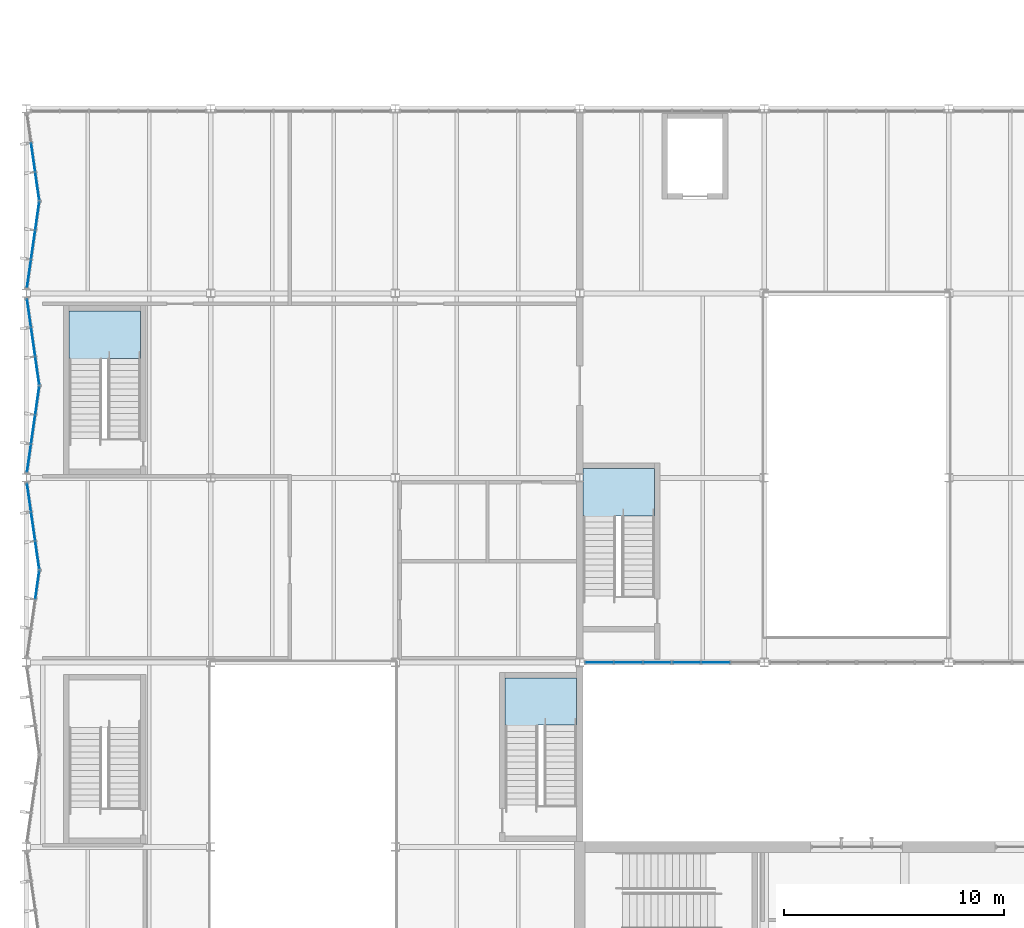
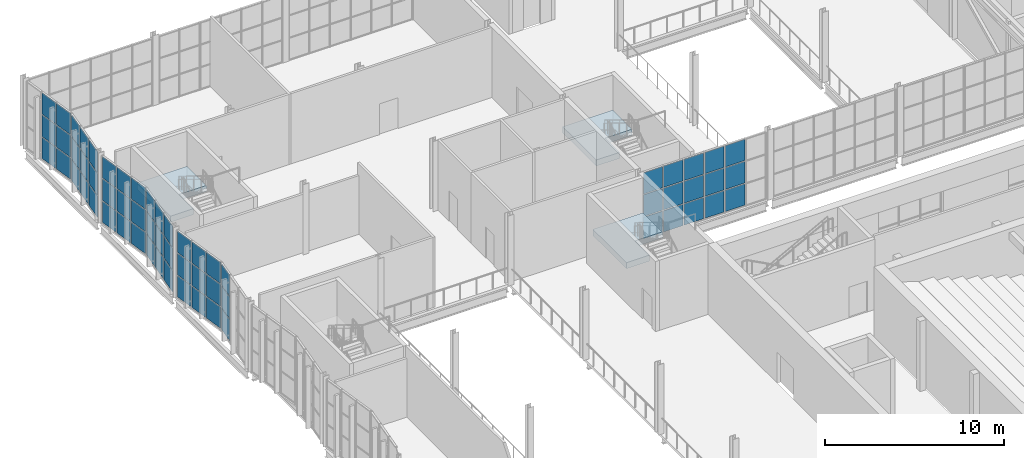
# One storey, part 60 of 127: 60 plates, 3 slabs, 11 elements without a shape of their own.
"""IFC4 building model written with IfcOpenShell, lengths in metres."""

from ifc_helpers import new_model, si_unit, direction, frame, origin, origin_2d, place, context, subcontext, project, spatial, polyline, rectangle, outline, extrude, material, layer, layer_set, type_object, element, aggregate, save


model = new_model("IFC4")

# Units and contexts
model_context = context("Model", 3, precision=1e-05, world=origin(), true_north=direction((0.0, 1.0)))
body_context = subcontext(model_context, "Body", "Model", "MODEL_VIEW")
ifc_project = project(units=[si_unit("LENGTHUNIT", "METRE"), si_unit("AREAUNIT", "SQUARE_METRE"), si_unit("VOLUMEUNIT", "CUBIC_METRE"), si_unit("PLANEANGLEUNIT", "RADIAN"), si_unit("MASSUNIT", "GRAM", prefix="KILO")], contexts=[model_context])

# Site, building, storey
site_placement = place(None, origin())
site = spatial("IfcSite", under=ifc_project, at=site_placement, CompositionType="ELEMENT")
building_placement = place(site_placement, origin())
building = spatial("IfcBuilding", under=site, at=building_placement, Name="Ljudholm Concert House", CompositionType="ELEMENT")
storey_placement = place(building_placement, frame((0.0, 0.0, 5.39990234375)))
storey = spatial("IfcBuildingStorey", under=building, at=storey_placement, Name="L01", CompositionType="ELEMENT", Elevation=5.39990234375)

# Curtain wall, plates
ifc_material_1 = material(Name="Aluminium curtain wall with impact-rated laminated glass", Category="aluminium")
curtain_wall_type = type_object("IfcCurtainWallType", Name="CURTAIN WALL 1400", PredefinedType="NOTDEFINED", material=ifc_material_1)
curtain_wall_1_placement = place(storey_placement, origin())
curtain_wall_1 = element("IfcCurtainWall", 1, at=curtain_wall_1_placement, inside=storey, type_object=curtain_wall_type, Name="Facade curtain wall", PredefinedType="NOTDEFINED")
ifc_material_2 = material(Name="Impact-rated laminated glass", Category="glass")
ifc_layer_1 = layer(ifc_material_2, 0.028076171875)
ifc_layer_set_1 = layer_set([ifc_layer_1], Name="Impact-rated laminated glass")
plate_type = type_object("IfcPlateType", Name="CURTAIN PANEL 28", PredefinedType="CURTAIN_PANEL", material=ifc_layer_set_1)
plate_1_placement = place(storey_placement, frame((4.503173828125, 108.321533203125, 0.06005859375), z_axis=(0.0, 0.0, 1.0), x_axis=(0.141421356338, 0.989949493647, 0.0)))
plate_1 = element("IfcPlate", 2, at=plate_1_placement, type_object=plate_type, Name="Curtain wall panel", PredefinedType="CURTAIN_PANEL", context=body_context, shape_type="SweptSolid", body=[
    extrude(rectangle(XDim=1.2509765625, YDim=0.028076171875, at=origin_2d()), origin(), (0.0, 0.0, 1.0), 1.449951171875),
])
plate_2_placement = place(storey_placement, frame((4.503173828125, 108.321533203125, 1.570068359375), z_axis=(0.0, 0.0, 1.0), x_axis=(0.141421356338, 0.989949493647, 0.0)))
plate_2 = element("IfcPlate", 3, at=plate_2_placement, type_object=plate_type, Name="Curtain wall panel", PredefinedType="CURTAIN_PANEL", context=body_context, shape_type="SweptSolid", body=[
    extrude(rectangle(XDim=1.2509765625, YDim=0.028076171875, at=origin_2d()), origin(), (0.0, 0.0, 1.0), 1.47998046875),
])
plate_3_placement = place(storey_placement, frame((4.503173828125, 108.321533203125, 3.1103515625), z_axis=(0.0, 0.0, 1.0), x_axis=(0.141421356338, 0.989949493647, 0.0)))
plate_3 = element("IfcPlate", 4, at=plate_3_placement, type_object=plate_type, Name="Curtain wall panel", PredefinedType="CURTAIN_PANEL", context=body_context, shape_type="SweptSolid", body=[
    extrude(rectangle(XDim=1.2509765625, YDim=0.028076171875, at=origin_2d()), origin(), (0.0, 0.0, 1.0), 1.449951171875),
])
aggregate(curtain_wall_1, [plate_1, plate_2, plate_3])

curtain_wall_2_placement = place(storey_placement, origin())
curtain_wall_2 = element("IfcCurtainWall", 5, at=curtain_wall_2_placement, inside=storey, type_object=curtain_wall_type, Name="Facade curtain wall", PredefinedType="NOTDEFINED")
plate_4_placement = place(storey_placement, frame((4.503173828125, 109.678466796875, 0.06005859375), z_axis=(0.0, 0.0, 1.0), x_axis=(-0.141421356338, 0.989949493647, 0.0)))
plate_4 = element("IfcPlate", 6, at=plate_4_placement, type_object=plate_type, Name="Curtain wall panel", PredefinedType="CURTAIN_PANEL", context=body_context, shape_type="SweptSolid", body=[
    extrude(rectangle(XDim=1.2509765625, YDim=0.028076171875, at=origin_2d()), origin(), (0.0, 0.0, 1.0), 1.449951171875),
])
plate_5_placement = place(storey_placement, frame((4.503173828125, 109.678466796875, 1.570068359375), z_axis=(0.0, 0.0, 1.0), x_axis=(-0.141421356338, 0.989949493647, 0.0)))
plate_5 = element("IfcPlate", 7, at=plate_5_placement, type_object=plate_type, Name="Curtain wall panel", PredefinedType="CURTAIN_PANEL", context=body_context, shape_type="SweptSolid", body=[
    extrude(rectangle(XDim=1.2509765625, YDim=0.028076171875, at=origin_2d()), origin(), (0.0, 0.0, 1.0), 1.47998046875),
])
plate_6_placement = place(storey_placement, frame((4.503173828125, 109.678466796875, 3.1103515625), z_axis=(0.0, 0.0, 1.0), x_axis=(-0.141421356338, 0.989949493647, 0.0)))
plate_6 = element("IfcPlate", 8, at=plate_6_placement, type_object=plate_type, Name="Curtain wall panel", PredefinedType="CURTAIN_PANEL", context=body_context, shape_type="SweptSolid", body=[
    extrude(rectangle(XDim=1.2509765625, YDim=0.028076171875, at=origin_2d()), origin(), (0.0, 0.0, 1.0), 1.449951171875),
])
plate_7_placement = place(storey_placement, frame((4.315673828125, 110.9912109375, 0.06005859375), z_axis=(0.0, 0.0, 1.0), x_axis=(-0.141421356338, 0.989949493647, 0.0)))
plate_7 = element("IfcPlate", 9, at=plate_7_placement, type_object=plate_type, Name="Curtain wall panel", PredefinedType="CURTAIN_PANEL", context=body_context, shape_type="SweptSolid", body=[
    extrude(rectangle(XDim=1.28076171875, YDim=0.028076171875, at=origin_2d()), origin(), (0.0, 0.0, 1.0), 1.449951171875),
])
plate_8_placement = place(storey_placement, frame((4.315673828125, 110.9912109375, 1.570068359375), z_axis=(0.0, 0.0, 1.0), x_axis=(-0.141421356338, 0.989949493647, 0.0)))
plate_8 = element("IfcPlate", 10, at=plate_8_placement, type_object=plate_type, Name="Curtain wall panel", PredefinedType="CURTAIN_PANEL", context=body_context, shape_type="SweptSolid", body=[
    extrude(rectangle(XDim=1.28076171875, YDim=0.028076171875, at=origin_2d()), origin(), (0.0, 0.0, 1.0), 1.47998046875),
])
plate_9_placement = place(storey_placement, frame((4.315673828125, 110.9912109375, 3.1103515625), z_axis=(0.0, 0.0, 1.0), x_axis=(-0.141421356338, 0.989949493647, 0.0)))
plate_9 = element("IfcPlate", 11, at=plate_9_placement, type_object=plate_type, Name="Curtain wall panel", PredefinedType="CURTAIN_PANEL", context=body_context, shape_type="SweptSolid", body=[
    extrude(rectangle(XDim=1.28076171875, YDim=0.028076171875, at=origin_2d()), origin(), (0.0, 0.0, 1.0), 1.449951171875),
])
plate_10_placement = place(storey_placement, frame((4.1279296875, 112.3037109375, 0.06005859375), z_axis=(0.0, 0.0, 1.0), x_axis=(-0.141421356338, 0.989949493647, 0.0)))
plate_10 = element("IfcPlate", 12, at=plate_10_placement, type_object=plate_type, Name="Curtain wall panel", PredefinedType="CURTAIN_PANEL", context=body_context, shape_type="SweptSolid", body=[
    extrude(rectangle(XDim=1.2509765625, YDim=0.028076171875, at=origin_2d()), origin(), (0.0, 0.0, 1.0), 1.449951171875),
])
plate_11_placement = place(storey_placement, frame((4.1279296875, 112.3037109375, 1.570068359375), z_axis=(0.0, 0.0, 1.0), x_axis=(-0.141421356338, 0.989949493647, 0.0)))
plate_11 = element("IfcPlate", 13, at=plate_11_placement, type_object=plate_type, Name="Curtain wall panel", PredefinedType="CURTAIN_PANEL", context=body_context, shape_type="SweptSolid", body=[
    extrude(rectangle(XDim=1.2509765625, YDim=0.028076171875, at=origin_2d()), origin(), (0.0, 0.0, 1.0), 1.47998046875),
])
plate_12_placement = place(storey_placement, frame((4.1279296875, 112.3037109375, 3.1103515625), z_axis=(0.0, 0.0, 1.0), x_axis=(-0.141421356338, 0.989949493647, 0.0)))
plate_12 = element("IfcPlate", 14, at=plate_12_placement, type_object=plate_type, Name="Curtain wall panel", PredefinedType="CURTAIN_PANEL", context=body_context, shape_type="SweptSolid", body=[
    extrude(rectangle(XDim=1.2509765625, YDim=0.028076171875, at=origin_2d()), origin(), (0.0, 0.0, 1.0), 1.449951171875),
])
aggregate(curtain_wall_2, [plate_4, plate_5, plate_6, plate_7, plate_8, plate_9, plate_10, plate_11, plate_12])

curtain_wall_3_placement = place(storey_placement, origin())
curtain_wall_3 = element("IfcCurtainWall", 15, at=curtain_wall_3_placement, inside=storey, type_object=curtain_wall_type, Name="Facade curtain wall", PredefinedType="NOTDEFINED")
plate_13_placement = place(storey_placement, frame((4.1279296875, 114.096435546875, 0.06005859375), z_axis=(0.0, 0.0, 1.0), x_axis=(0.141421356338, 0.989949493647, 0.0)))
plate_13 = element("IfcPlate", 16, at=plate_13_placement, type_object=plate_type, Name="Curtain wall panel", PredefinedType="CURTAIN_PANEL", context=body_context, shape_type="SweptSolid", body=[
    extrude(rectangle(XDim=1.2509765625, YDim=0.028076171875, at=origin_2d()), origin(), (0.0, 0.0, 1.0), 1.449951171875),
])
plate_14_placement = place(storey_placement, frame((4.1279296875, 114.096435546875, 1.570068359375), z_axis=(0.0, 0.0, 1.0), x_axis=(0.141421356338, 0.989949493647, 0.0)))
plate_14 = element("IfcPlate", 17, at=plate_14_placement, type_object=plate_type, Name="Curtain wall panel", PredefinedType="CURTAIN_PANEL", context=body_context, shape_type="SweptSolid", body=[
    extrude(rectangle(XDim=1.2509765625, YDim=0.028076171875, at=origin_2d()), origin(), (0.0, 0.0, 1.0), 1.47998046875),
])
plate_15_placement = place(storey_placement, frame((4.1279296875, 114.096435546875, 3.1103515625), z_axis=(0.0, 0.0, 1.0), x_axis=(0.141421356338, 0.989949493647, 0.0)))
plate_15 = element("IfcPlate", 18, at=plate_15_placement, type_object=plate_type, Name="Curtain wall panel", PredefinedType="CURTAIN_PANEL", context=body_context, shape_type="SweptSolid", body=[
    extrude(rectangle(XDim=1.2509765625, YDim=0.028076171875, at=origin_2d()), origin(), (0.0, 0.0, 1.0), 1.449951171875),
])
plate_16_placement = place(storey_placement, frame((4.315673828125, 115.408935546875, 0.06005859375), z_axis=(0.0, 0.0, 1.0), x_axis=(0.141421356338, 0.989949493647, 0.0)))
plate_16 = element("IfcPlate", 19, at=plate_16_placement, type_object=plate_type, Name="Curtain wall panel", PredefinedType="CURTAIN_PANEL", context=body_context, shape_type="SweptSolid", body=[
    extrude(rectangle(XDim=1.28076171875, YDim=0.028076171875, at=origin_2d()), origin(), (0.0, 0.0, 1.0), 1.449951171875),
])
plate_17_placement = place(storey_placement, frame((4.315673828125, 115.408935546875, 1.570068359375), z_axis=(0.0, 0.0, 1.0), x_axis=(0.141421356338, 0.989949493647, 0.0)))
plate_17 = element("IfcPlate", 20, at=plate_17_placement, type_object=plate_type, Name="Curtain wall panel", PredefinedType="CURTAIN_PANEL", context=body_context, shape_type="SweptSolid", body=[
    extrude(rectangle(XDim=1.28076171875, YDim=0.028076171875, at=origin_2d()), origin(), (0.0, 0.0, 1.0), 1.47998046875),
])
plate_18_placement = place(storey_placement, frame((4.315673828125, 115.408935546875, 3.1103515625), z_axis=(0.0, 0.0, 1.0), x_axis=(0.141421356338, 0.989949493647, 0.0)))
plate_18 = element("IfcPlate", 21, at=plate_18_placement, type_object=plate_type, Name="Curtain wall panel", PredefinedType="CURTAIN_PANEL", context=body_context, shape_type="SweptSolid", body=[
    extrude(rectangle(XDim=1.28076171875, YDim=0.028076171875, at=origin_2d()), origin(), (0.0, 0.0, 1.0), 1.449951171875),
])
plate_19_placement = place(storey_placement, frame((4.503173828125, 116.721435546875, 0.06005859375), z_axis=(0.0, 0.0, 1.0), x_axis=(0.141421356338, 0.989949493647, 0.0)))
plate_19 = element("IfcPlate", 22, at=plate_19_placement, type_object=plate_type, Name="Curtain wall panel", PredefinedType="CURTAIN_PANEL", context=body_context, shape_type="SweptSolid", body=[
    extrude(rectangle(XDim=1.2509765625, YDim=0.028076171875, at=origin_2d()), origin(), (0.0, 0.0, 1.0), 1.449951171875),
])
plate_20_placement = place(storey_placement, frame((4.503173828125, 116.721435546875, 1.570068359375), z_axis=(0.0, 0.0, 1.0), x_axis=(0.141421356338, 0.989949493647, 0.0)))
plate_20 = element("IfcPlate", 23, at=plate_20_placement, type_object=plate_type, Name="Curtain wall panel", PredefinedType="CURTAIN_PANEL", context=body_context, shape_type="SweptSolid", body=[
    extrude(rectangle(XDim=1.2509765625, YDim=0.028076171875, at=origin_2d()), origin(), (0.0, 0.0, 1.0), 1.47998046875),
])
plate_21_placement = place(storey_placement, frame((4.503173828125, 116.721435546875, 3.1103515625), z_axis=(0.0, 0.0, 1.0), x_axis=(0.141421356338, 0.989949493647, 0.0)))
plate_21 = element("IfcPlate", 24, at=plate_21_placement, type_object=plate_type, Name="Curtain wall panel", PredefinedType="CURTAIN_PANEL", context=body_context, shape_type="SweptSolid", body=[
    extrude(rectangle(XDim=1.2509765625, YDim=0.028076171875, at=origin_2d()), origin(), (0.0, 0.0, 1.0), 1.449951171875),
])
aggregate(curtain_wall_3, [plate_13, plate_14, plate_15, plate_16, plate_17, plate_18, plate_19, plate_20, plate_21])

curtain_wall_4_placement = place(storey_placement, origin())
curtain_wall_4 = element("IfcCurtainWall", 25, at=curtain_wall_4_placement, inside=storey, type_object=curtain_wall_type, Name="Facade curtain wall", PredefinedType="NOTDEFINED")
plate_22_placement = place(storey_placement, frame((4.503173828125, 118.07861328125, 0.06005859375), z_axis=(0.0, 0.0, 1.0), x_axis=(-0.141421356338, 0.989949493647, 0.0)))
plate_22 = element("IfcPlate", 26, at=plate_22_placement, type_object=plate_type, Name="Curtain wall panel", PredefinedType="CURTAIN_PANEL", context=body_context, shape_type="SweptSolid", body=[
    extrude(rectangle(XDim=1.2509765625, YDim=0.028076171875, at=origin_2d()), origin(), (0.0, 0.0, 1.0), 1.449951171875),
])
plate_23_placement = place(storey_placement, frame((4.503173828125, 118.07861328125, 1.570068359375), z_axis=(0.0, 0.0, 1.0), x_axis=(-0.141421356338, 0.989949493647, 0.0)))
plate_23 = element("IfcPlate", 27, at=plate_23_placement, type_object=plate_type, Name="Curtain wall panel", PredefinedType="CURTAIN_PANEL", context=body_context, shape_type="SweptSolid", body=[
    extrude(rectangle(XDim=1.2509765625, YDim=0.028076171875, at=origin_2d()), origin(), (0.0, 0.0, 1.0), 1.47998046875),
])
plate_24_placement = place(storey_placement, frame((4.503173828125, 118.07861328125, 3.1103515625), z_axis=(0.0, 0.0, 1.0), x_axis=(-0.141421356338, 0.989949493647, 0.0)))
plate_24 = element("IfcPlate", 28, at=plate_24_placement, type_object=plate_type, Name="Curtain wall panel", PredefinedType="CURTAIN_PANEL", context=body_context, shape_type="SweptSolid", body=[
    extrude(rectangle(XDim=1.2509765625, YDim=0.028076171875, at=origin_2d()), origin(), (0.0, 0.0, 1.0), 1.449951171875),
])
plate_25_placement = place(storey_placement, frame((4.315673828125, 119.39111328125, 0.06005859375), z_axis=(0.0, 0.0, 1.0), x_axis=(-0.141421356338, 0.989949493647, 0.0)))
plate_25 = element("IfcPlate", 29, at=plate_25_placement, type_object=plate_type, Name="Curtain wall panel", PredefinedType="CURTAIN_PANEL", context=body_context, shape_type="SweptSolid", body=[
    extrude(rectangle(XDim=1.28076171875, YDim=0.028076171875, at=origin_2d()), origin(), (0.0, 0.0, 1.0), 1.449951171875),
])
plate_26_placement = place(storey_placement, frame((4.315673828125, 119.39111328125, 1.570068359375), z_axis=(0.0, 0.0, 1.0), x_axis=(-0.141421356338, 0.989949493647, 0.0)))
plate_26 = element("IfcPlate", 30, at=plate_26_placement, type_object=plate_type, Name="Curtain wall panel", PredefinedType="CURTAIN_PANEL", context=body_context, shape_type="SweptSolid", body=[
    extrude(rectangle(XDim=1.28076171875, YDim=0.028076171875, at=origin_2d()), origin(), (0.0, 0.0, 1.0), 1.47998046875),
])
plate_27_placement = place(storey_placement, frame((4.315673828125, 119.39111328125, 3.1103515625), z_axis=(0.0, 0.0, 1.0), x_axis=(-0.141421356338, 0.989949493647, 0.0)))
plate_27 = element("IfcPlate", 31, at=plate_27_placement, type_object=plate_type, Name="Curtain wall panel", PredefinedType="CURTAIN_PANEL", context=body_context, shape_type="SweptSolid", body=[
    extrude(rectangle(XDim=1.28076171875, YDim=0.028076171875, at=origin_2d()), origin(), (0.0, 0.0, 1.0), 1.449951171875),
])
plate_28_placement = place(storey_placement, frame((4.1279296875, 120.70361328125, 0.06005859375), z_axis=(0.0, 0.0, 1.0), x_axis=(-0.141421356338, 0.989949493647, 0.0)))
plate_28 = element("IfcPlate", 32, at=plate_28_placement, type_object=plate_type, Name="Curtain wall panel", PredefinedType="CURTAIN_PANEL", context=body_context, shape_type="SweptSolid", body=[
    extrude(rectangle(XDim=1.2509765625, YDim=0.028076171875, at=origin_2d()), origin(), (0.0, 0.0, 1.0), 1.449951171875),
])
plate_29_placement = place(storey_placement, frame((4.1279296875, 120.70361328125, 1.570068359375), z_axis=(0.0, 0.0, 1.0), x_axis=(-0.141421356338, 0.989949493647, 0.0)))
plate_29 = element("IfcPlate", 33, at=plate_29_placement, type_object=plate_type, Name="Curtain wall panel", PredefinedType="CURTAIN_PANEL", context=body_context, shape_type="SweptSolid", body=[
    extrude(rectangle(XDim=1.2509765625, YDim=0.028076171875, at=origin_2d()), origin(), (0.0, 0.0, 1.0), 1.47998046875),
])
plate_30_placement = place(storey_placement, frame((4.1279296875, 120.70361328125, 3.1103515625), z_axis=(0.0, 0.0, 1.0), x_axis=(-0.141421356338, 0.989949493647, 0.0)))
plate_30 = element("IfcPlate", 34, at=plate_30_placement, type_object=plate_type, Name="Curtain wall panel", PredefinedType="CURTAIN_PANEL", context=body_context, shape_type="SweptSolid", body=[
    extrude(rectangle(XDim=1.2509765625, YDim=0.028076171875, at=origin_2d()), origin(), (0.0, 0.0, 1.0), 1.449951171875),
])
aggregate(curtain_wall_4, [plate_22, plate_23, plate_24, plate_25, plate_26, plate_27, plate_28, plate_29, plate_30])

curtain_wall_5_placement = place(storey_placement, origin())
curtain_wall_5 = element("IfcCurtainWall", 35, at=curtain_wall_5_placement, inside=storey, type_object=curtain_wall_type, Name="Facade curtain wall", PredefinedType="NOTDEFINED")
plate_31_placement = place(storey_placement, frame((4.1279296875, 122.496337890625, 0.06005859375), z_axis=(0.0, 0.0, 1.0), x_axis=(0.141421356338, 0.989949493647, 0.0)))
plate_31 = element("IfcPlate", 36, at=plate_31_placement, type_object=plate_type, Name="Curtain wall panel", PredefinedType="CURTAIN_PANEL", context=body_context, shape_type="SweptSolid", body=[
    extrude(rectangle(XDim=1.2509765625, YDim=0.028076171875, at=origin_2d()), origin(), (0.0, 0.0, 1.0), 1.449951171875),
])
plate_32_placement = place(storey_placement, frame((4.1279296875, 122.496337890625, 1.570068359375), z_axis=(0.0, 0.0, 1.0), x_axis=(0.141421356338, 0.989949493647, 0.0)))
plate_32 = element("IfcPlate", 37, at=plate_32_placement, type_object=plate_type, Name="Curtain wall panel", PredefinedType="CURTAIN_PANEL", context=body_context, shape_type="SweptSolid", body=[
    extrude(rectangle(XDim=1.2509765625, YDim=0.028076171875, at=origin_2d()), origin(), (0.0, 0.0, 1.0), 1.47998046875),
])
plate_33_placement = place(storey_placement, frame((4.1279296875, 122.496337890625, 3.1103515625), z_axis=(0.0, 0.0, 1.0), x_axis=(0.141421356338, 0.989949493647, 0.0)))
plate_33 = element("IfcPlate", 38, at=plate_33_placement, type_object=plate_type, Name="Curtain wall panel", PredefinedType="CURTAIN_PANEL", context=body_context, shape_type="SweptSolid", body=[
    extrude(rectangle(XDim=1.2509765625, YDim=0.028076171875, at=origin_2d()), origin(), (0.0, 0.0, 1.0), 1.449951171875),
])
plate_34_placement = place(storey_placement, frame((4.315673828125, 123.808837890625, 0.06005859375), z_axis=(0.0, 0.0, 1.0), x_axis=(0.141421356338, 0.989949493647, 0.0)))
plate_34 = element("IfcPlate", 39, at=plate_34_placement, type_object=plate_type, Name="Curtain wall panel", PredefinedType="CURTAIN_PANEL", context=body_context, shape_type="SweptSolid", body=[
    extrude(rectangle(XDim=1.28076171875, YDim=0.028076171875, at=origin_2d()), origin(), (0.0, 0.0, 1.0), 1.449951171875),
])
plate_35_placement = place(storey_placement, frame((4.315673828125, 123.808837890625, 1.570068359375), z_axis=(0.0, 0.0, 1.0), x_axis=(0.141421356338, 0.989949493647, 0.0)))
plate_35 = element("IfcPlate", 40, at=plate_35_placement, type_object=plate_type, Name="Curtain wall panel", PredefinedType="CURTAIN_PANEL", context=body_context, shape_type="SweptSolid", body=[
    extrude(rectangle(XDim=1.28076171875, YDim=0.028076171875, at=origin_2d()), origin(), (0.0, 0.0, 1.0), 1.47998046875),
])
plate_36_placement = place(storey_placement, frame((4.315673828125, 123.808837890625, 3.1103515625), z_axis=(0.0, 0.0, 1.0), x_axis=(0.141421356338, 0.989949493647, 0.0)))
plate_36 = element("IfcPlate", 41, at=plate_36_placement, type_object=plate_type, Name="Curtain wall panel", PredefinedType="CURTAIN_PANEL", context=body_context, shape_type="SweptSolid", body=[
    extrude(rectangle(XDim=1.28076171875, YDim=0.028076171875, at=origin_2d()), origin(), (0.0, 0.0, 1.0), 1.449951171875),
])
plate_37_placement = place(storey_placement, frame((4.503173828125, 125.121337890625, 0.06005859375), z_axis=(0.0, 0.0, 1.0), x_axis=(0.141421356338, 0.989949493647, 0.0)))
plate_37 = element("IfcPlate", 42, at=plate_37_placement, type_object=plate_type, Name="Curtain wall panel", PredefinedType="CURTAIN_PANEL", context=body_context, shape_type="SweptSolid", body=[
    extrude(rectangle(XDim=1.2509765625, YDim=0.028076171875, at=origin_2d()), origin(), (0.0, 0.0, 1.0), 1.449951171875),
])
plate_38_placement = place(storey_placement, frame((4.503173828125, 125.121337890625, 1.570068359375), z_axis=(0.0, 0.0, 1.0), x_axis=(0.141421356338, 0.989949493647, 0.0)))
plate_38 = element("IfcPlate", 43, at=plate_38_placement, type_object=plate_type, Name="Curtain wall panel", PredefinedType="CURTAIN_PANEL", context=body_context, shape_type="SweptSolid", body=[
    extrude(rectangle(XDim=1.2509765625, YDim=0.028076171875, at=origin_2d()), origin(), (0.0, 0.0, 1.0), 1.47998046875),
])
plate_39_placement = place(storey_placement, frame((4.503173828125, 125.121337890625, 3.1103515625), z_axis=(0.0, 0.0, 1.0), x_axis=(0.141421356338, 0.989949493647, 0.0)))
plate_39 = element("IfcPlate", 44, at=plate_39_placement, type_object=plate_type, Name="Curtain wall panel", PredefinedType="CURTAIN_PANEL", context=body_context, shape_type="SweptSolid", body=[
    extrude(rectangle(XDim=1.2509765625, YDim=0.028076171875, at=origin_2d()), origin(), (0.0, 0.0, 1.0), 1.449951171875),
])
aggregate(curtain_wall_5, [plate_31, plate_32, plate_33, plate_34, plate_35, plate_36, plate_37, plate_38, plate_39])

curtain_wall_6_placement = place(storey_placement, origin())
curtain_wall_6 = element("IfcCurtainWall", 45, at=curtain_wall_6_placement, inside=storey, type_object=curtain_wall_type, Name="Facade curtain wall", PredefinedType="NOTDEFINED")
plate_40_placement = place(storey_placement, frame((4.503173828125, 126.478515625, 0.06005859375), z_axis=(0.0, 0.0, 1.0), x_axis=(-0.141421356338, 0.989949493647, 0.0)))
plate_40 = element("IfcPlate", 46, at=plate_40_placement, type_object=plate_type, Name="Curtain wall panel", PredefinedType="CURTAIN_PANEL", context=body_context, shape_type="SweptSolid", body=[
    extrude(rectangle(XDim=1.2509765625, YDim=0.028076171875, at=origin_2d()), origin(), (0.0, 0.0, 1.0), 1.449951171875),
])
plate_41_placement = place(storey_placement, frame((4.503173828125, 126.478515625, 1.570068359375), z_axis=(0.0, 0.0, 1.0), x_axis=(-0.141421356338, 0.989949493647, 0.0)))
plate_41 = element("IfcPlate", 47, at=plate_41_placement, type_object=plate_type, Name="Curtain wall panel", PredefinedType="CURTAIN_PANEL", context=body_context, shape_type="SweptSolid", body=[
    extrude(rectangle(XDim=1.2509765625, YDim=0.028076171875, at=origin_2d()), origin(), (0.0, 0.0, 1.0), 1.47998046875),
])
plate_42_placement = place(storey_placement, frame((4.503173828125, 126.478515625, 3.1103515625), z_axis=(0.0, 0.0, 1.0), x_axis=(-0.141421356338, 0.989949493647, 0.0)))
plate_42 = element("IfcPlate", 48, at=plate_42_placement, type_object=plate_type, Name="Curtain wall panel", PredefinedType="CURTAIN_PANEL", context=body_context, shape_type="SweptSolid", body=[
    extrude(rectangle(XDim=1.2509765625, YDim=0.028076171875, at=origin_2d()), origin(), (0.0, 0.0, 1.0), 1.449951171875),
])
plate_43_placement = place(storey_placement, frame((4.315673828125, 127.791015625, 0.06005859375), z_axis=(0.0, 0.0, 1.0), x_axis=(-0.141421356338, 0.989949493647, 0.0)))
plate_43 = element("IfcPlate", 49, at=plate_43_placement, type_object=plate_type, Name="Curtain wall panel", PredefinedType="CURTAIN_PANEL", context=body_context, shape_type="SweptSolid", body=[
    extrude(rectangle(XDim=1.28076171875, YDim=0.028076171875, at=origin_2d()), origin(), (0.0, 0.0, 1.0), 1.449951171875),
])
plate_44_placement = place(storey_placement, frame((4.315673828125, 127.791015625, 1.570068359375), z_axis=(0.0, 0.0, 1.0), x_axis=(-0.141421356338, 0.989949493647, 0.0)))
plate_44 = element("IfcPlate", 50, at=plate_44_placement, type_object=plate_type, Name="Curtain wall panel", PredefinedType="CURTAIN_PANEL", context=body_context, shape_type="SweptSolid", body=[
    extrude(rectangle(XDim=1.28076171875, YDim=0.028076171875, at=origin_2d()), origin(), (0.0, 0.0, 1.0), 1.47998046875),
])
plate_45_placement = place(storey_placement, frame((4.315673828125, 127.791015625, 3.1103515625), z_axis=(0.0, 0.0, 1.0), x_axis=(-0.141421356338, 0.989949493647, 0.0)))
plate_45 = element("IfcPlate", 51, at=plate_45_placement, type_object=plate_type, Name="Curtain wall panel", PredefinedType="CURTAIN_PANEL", context=body_context, shape_type="SweptSolid", body=[
    extrude(rectangle(XDim=1.28076171875, YDim=0.028076171875, at=origin_2d()), origin(), (0.0, 0.0, 1.0), 1.449951171875),
])
aggregate(curtain_wall_6, [plate_40, plate_41, plate_42, plate_43, plate_44, plate_45])

curtain_wall_7_placement = place(storey_placement, origin())
curtain_wall_7 = element("IfcCurtainWall", 52, at=curtain_wall_7_placement, inside=storey, type_object=curtain_wall_type, Name="Winter garden curtain wall", PredefinedType="NOTDEFINED")
plate_46_placement = place(storey_placement, frame((30.098388671875, 104.800048828125, 0.06005859375), z_axis=(0.0, 0.0, 1.0), x_axis=(1.0, 0.0, 0.0)))
plate_46 = element("IfcPlate", 53, at=plate_46_placement, type_object=plate_type, Name="Curtain wall panel", PredefinedType="CURTAIN_PANEL", context=body_context, shape_type="SweptSolid", body=[
    extrude(rectangle(XDim=1.236572265625, YDim=0.028076171875, at=origin_2d()), origin(), (0.0, 0.0, 1.0), 1.449951171875),
])
plate_47_placement = place(storey_placement, frame((30.098388671875, 104.800048828125, 1.570068359375), z_axis=(0.0, 0.0, 1.0), x_axis=(1.0, 0.0, 0.0)))
plate_47 = element("IfcPlate", 54, at=plate_47_placement, type_object=plate_type, Name="Curtain wall panel", PredefinedType="CURTAIN_PANEL", context=body_context, shape_type="SweptSolid", body=[
    extrude(rectangle(XDim=1.236572265625, YDim=0.028076171875, at=origin_2d()), origin(), (0.0, 0.0, 1.0), 1.47998046875),
])
plate_48_placement = place(storey_placement, frame((30.098388671875, 104.800048828125, 3.1103515625), z_axis=(0.0, 0.0, 1.0), x_axis=(1.0, 0.0, 0.0)))
plate_48 = element("IfcPlate", 55, at=plate_48_placement, type_object=plate_type, Name="Curtain wall panel", PredefinedType="CURTAIN_PANEL", context=body_context, shape_type="SweptSolid", body=[
    extrude(rectangle(XDim=1.236572265625, YDim=0.028076171875, at=origin_2d()), origin(), (0.0, 0.0, 1.0), 1.449951171875),
])
plate_49_placement = place(storey_placement, frame((31.409912109375, 104.800048828125, 0.06005859375), z_axis=(0.0, 0.0, 1.0), x_axis=(1.0, 0.0, 0.0)))
plate_49 = element("IfcPlate", 56, at=plate_49_placement, type_object=plate_type, Name="Curtain wall panel", PredefinedType="CURTAIN_PANEL", context=body_context, shape_type="SweptSolid", body=[
    extrude(rectangle(XDim=1.2666015625, YDim=0.028076171875, at=origin_2d()), origin(), (0.0, 0.0, 1.0), 1.449951171875),
])
plate_50_placement = place(storey_placement, frame((31.409912109375, 104.800048828125, 1.570068359375), z_axis=(0.0, 0.0, 1.0), x_axis=(1.0, 0.0, 0.0)))
plate_50 = element("IfcPlate", 57, at=plate_50_placement, type_object=plate_type, Name="Curtain wall panel", PredefinedType="CURTAIN_PANEL", context=body_context, shape_type="SweptSolid", body=[
    extrude(rectangle(XDim=1.2666015625, YDim=0.028076171875, at=origin_2d()), origin(), (0.0, 0.0, 1.0), 1.47998046875),
])
plate_51_placement = place(storey_placement, frame((31.409912109375, 104.800048828125, 3.1103515625), z_axis=(0.0, 0.0, 1.0), x_axis=(1.0, 0.0, 0.0)))
plate_51 = element("IfcPlate", 58, at=plate_51_placement, type_object=plate_type, Name="Curtain wall panel", PredefinedType="CURTAIN_PANEL", context=body_context, shape_type="SweptSolid", body=[
    extrude(rectangle(XDim=1.2666015625, YDim=0.028076171875, at=origin_2d()), origin(), (0.0, 0.0, 1.0), 1.449951171875),
])
plate_52_placement = place(storey_placement, frame((32.7216796875, 104.800048828125, 0.06005859375), z_axis=(0.0, 0.0, 1.0), x_axis=(1.0, 0.0, 0.0)))
plate_52 = element("IfcPlate", 59, at=plate_52_placement, type_object=plate_type, Name="Curtain wall panel", PredefinedType="CURTAIN_PANEL", context=body_context, shape_type="SweptSolid", body=[
    extrude(rectangle(XDim=1.236572265625, YDim=0.028076171875, at=origin_2d()), origin(), (0.0, 0.0, 1.0), 1.449951171875),
])
plate_53_placement = place(storey_placement, frame((32.7216796875, 104.800048828125, 1.570068359375), z_axis=(0.0, 0.0, 1.0), x_axis=(1.0, 0.0, 0.0)))
plate_53 = element("IfcPlate", 60, at=plate_53_placement, type_object=plate_type, Name="Curtain wall panel", PredefinedType="CURTAIN_PANEL", context=body_context, shape_type="SweptSolid", body=[
    extrude(rectangle(XDim=1.236572265625, YDim=0.028076171875, at=origin_2d()), origin(), (0.0, 0.0, 1.0), 1.47998046875),
])
plate_54_placement = place(storey_placement, frame((32.7216796875, 104.800048828125, 3.1103515625), z_axis=(0.0, 0.0, 1.0), x_axis=(1.0, 0.0, 0.0)))
plate_54 = element("IfcPlate", 61, at=plate_54_placement, type_object=plate_type, Name="Curtain wall panel", PredefinedType="CURTAIN_PANEL", context=body_context, shape_type="SweptSolid", body=[
    extrude(rectangle(XDim=1.236572265625, YDim=0.028076171875, at=origin_2d()), origin(), (0.0, 0.0, 1.0), 1.449951171875),
])
aggregate(curtain_wall_7, [plate_46, plate_47, plate_48, plate_49, plate_50, plate_51, plate_52, plate_53, plate_54])

curtain_wall_8_placement = place(storey_placement, origin())
curtain_wall_8 = element("IfcCurtainWall", 62, at=curtain_wall_8_placement, inside=storey, type_object=curtain_wall_type, Name="Winter garden curtain wall", PredefinedType="NOTDEFINED")
plate_55_placement = place(storey_placement, frame((34.078369140625, 104.800048828125, 0.06005859375), z_axis=(0.0, 0.0, 1.0), x_axis=(1.0, 0.0, 0.0)))
plate_55 = element("IfcPlate", 63, at=plate_55_placement, type_object=plate_type, Name="Curtain wall panel", PredefinedType="CURTAIN_PANEL", context=body_context, shape_type="SweptSolid", body=[
    extrude(rectangle(XDim=1.236572265625, YDim=0.028076171875, at=origin_2d()), origin(), (0.0, 0.0, 1.0), 1.449951171875),
])
plate_56_placement = place(storey_placement, frame((34.078369140625, 104.800048828125, 1.570068359375), z_axis=(0.0, 0.0, 1.0), x_axis=(1.0, 0.0, 0.0)))
plate_56 = element("IfcPlate", 64, at=plate_56_placement, type_object=plate_type, Name="Curtain wall panel", PredefinedType="CURTAIN_PANEL", context=body_context, shape_type="SweptSolid", body=[
    extrude(rectangle(XDim=1.236572265625, YDim=0.028076171875, at=origin_2d()), origin(), (0.0, 0.0, 1.0), 1.47998046875),
])
plate_57_placement = place(storey_placement, frame((34.078369140625, 104.800048828125, 3.1103515625), z_axis=(0.0, 0.0, 1.0), x_axis=(1.0, 0.0, 0.0)))
plate_57 = element("IfcPlate", 65, at=plate_57_placement, type_object=plate_type, Name="Curtain wall panel", PredefinedType="CURTAIN_PANEL", context=body_context, shape_type="SweptSolid", body=[
    extrude(rectangle(XDim=1.236572265625, YDim=0.028076171875, at=origin_2d()), origin(), (0.0, 0.0, 1.0), 1.449951171875),
])
plate_58_placement = place(storey_placement, frame((35.389892578125, 104.800048828125, 0.06005859375), z_axis=(0.0, 0.0, 1.0), x_axis=(1.0, 0.0, 0.0)))
plate_58 = element("IfcPlate", 66, at=plate_58_placement, type_object=plate_type, Name="Curtain wall panel", PredefinedType="CURTAIN_PANEL", context=body_context, shape_type="SweptSolid", body=[
    extrude(rectangle(XDim=1.2666015625, YDim=0.028076171875, at=origin_2d()), origin(), (0.0, 0.0, 1.0), 1.449951171875),
])
plate_59_placement = place(storey_placement, frame((35.389892578125, 104.800048828125, 1.570068359375), z_axis=(0.0, 0.0, 1.0), x_axis=(1.0, 0.0, 0.0)))
plate_59 = element("IfcPlate", 67, at=plate_59_placement, type_object=plate_type, Name="Curtain wall panel", PredefinedType="CURTAIN_PANEL", context=body_context, shape_type="SweptSolid", body=[
    extrude(rectangle(XDim=1.2666015625, YDim=0.028076171875, at=origin_2d()), origin(), (0.0, 0.0, 1.0), 1.47998046875),
])
plate_60_placement = place(storey_placement, frame((35.389892578125, 104.800048828125, 3.1103515625), z_axis=(0.0, 0.0, 1.0), x_axis=(1.0, 0.0, 0.0)))
plate_60 = element("IfcPlate", 68, at=plate_60_placement, type_object=plate_type, Name="Curtain wall panel", PredefinedType="CURTAIN_PANEL", context=body_context, shape_type="SweptSolid", body=[
    extrude(rectangle(XDim=1.2666015625, YDim=0.028076171875, at=origin_2d()), origin(), (0.0, 0.0, 1.0), 1.449951171875),
])
aggregate(curtain_wall_8, [plate_55, plate_56, plate_57, plate_58, plate_59, plate_60])

# Stair, slab
ifc_material_3 = material(Name="Concrete 5,000 psi", Category="concrete")
stair_type = type_object("IfcStairType", Name="RC STAIR 1500x171x280", PredefinedType="HALF_TURN_STAIR", material=ifc_material_3)
stair_1_placement = place(storey_placement, origin())
stair_1 = element("IfcStair", 69, at=stair_1_placement, inside=storey, type_object=stair_type, Name="Stair", PredefinedType="HALF_TURN_STAIR")
ifc_material_4 = material(Name="Concrete 5,000 psi", Category="concrete")
ifc_layer_2 = layer(ifc_material_4, 0.409912109375)
ifc_layer_set_2 = layer_set([ifc_layer_2], Name="Concrete 5,000 psi")
slab_type = type_object("IfcSlabType", Name="RC LANDING 410", PredefinedType="LANDING", material=ifc_layer_set_2)
slab_1_placement = place(storey_placement, frame((0.0, 0.0, 1.989990234375)))
slab_1 = element("IfcSlab", 70, at=slab_1_placement, type_object=slab_type, Name="Stair landing", PredefinedType="LANDING", context=body_context, shape_type="SweptSolid", body=[
    extrude(outline(polyline([(25.800048828125, 100.333984375), (27.300048828125, 100.333984375), (27.300048828125, 101.939453125), (29.050048828125, 101.939453125), (29.050048828125, 104.10009765625), (25.800048828125, 104.10009765625), (25.800048828125, 100.333984375)])), origin(), (0.0, 0.0, 1.0), 0.41015625),
])
aggregate(stair_1, [slab_1])

stair_2_placement = place(storey_placement, origin())
stair_2 = element("IfcStair", 71, at=stair_2_placement, inside=storey, type_object=stair_type, Name="Stair", PredefinedType="HALF_TURN_STAIR")
slab_2_placement = place(storey_placement, frame((0.0, 0.0, 1.989990234375)))
slab_2 = element("IfcSlab", 72, at=slab_2_placement, type_object=slab_type, Name="Stair landing", PredefinedType="LANDING", context=body_context, shape_type="SweptSolid", body=[
    extrude(outline(polyline([(5.949951171875, 117.033935546875), (7.449951171875, 117.033935546875), (7.449951171875, 118.639404296875), (9.199951171875, 118.639404296875), (9.199951171875, 120.800048828125), (5.949951171875, 120.800048828125), (5.949951171875, 117.033935546875)])), origin(), (0.0, 0.0, 1.0), 0.41015625),
])
aggregate(stair_2, [slab_2])

stair_3_placement = place(storey_placement, origin())
stair_3 = element("IfcStair", 73, at=stair_3_placement, inside=storey, type_object=stair_type, Name="Stair", PredefinedType="HALF_TURN_STAIR")
slab_3_placement = place(storey_placement, frame((0.0, 0.0, 1.989990234375)))
slab_3 = element("IfcSlab", 74, at=slab_3_placement, type_object=slab_type, Name="Stair landing", PredefinedType="LANDING", context=body_context, shape_type="SweptSolid", body=[
    extrude(outline(polyline([(29.35009765625, 109.864013671875), (30.85009765625, 109.864013671875), (30.85009765625, 111.469482421875), (32.60009765625, 111.469482421875), (32.60009765625, 113.6298828125), (29.35009765625, 113.6298828125), (29.35009765625, 109.864013671875)])), origin(), (0.0, 0.0, 1.0), 0.41015625),
])
aggregate(stair_3, [slab_3])

save(model, "model.ifc")
